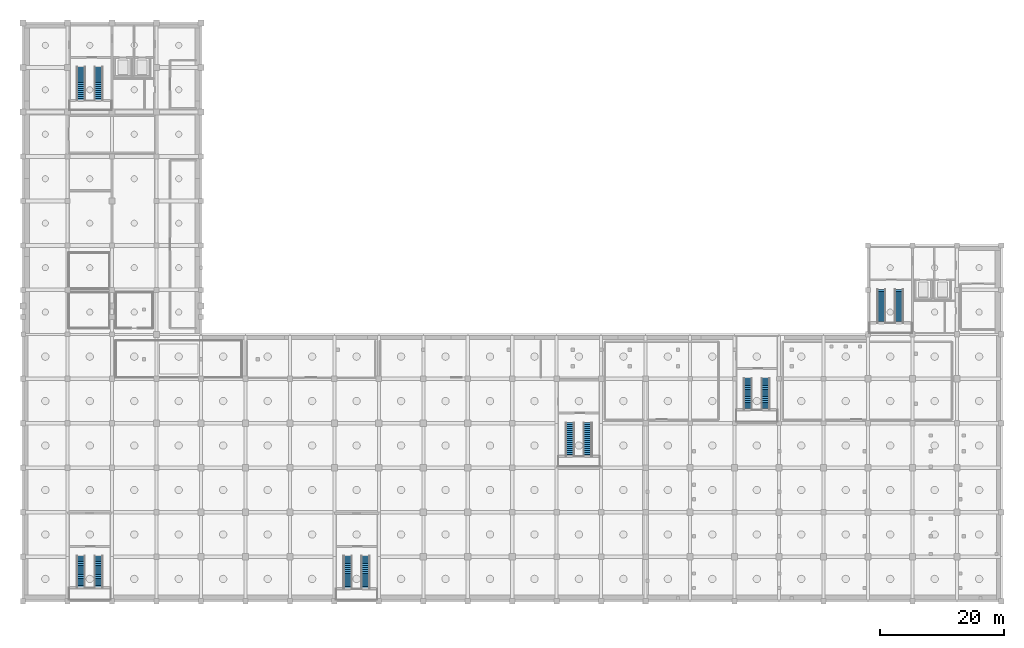
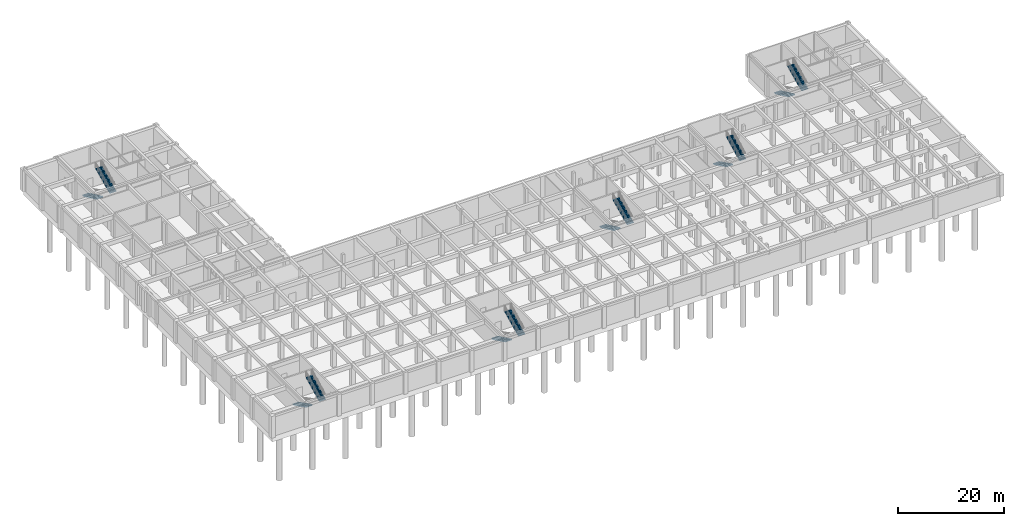
# One storey, part 11 of 15: 12 stair flights, 6 elements without a shape of their own.
"""IFC4 building model written with IfcOpenShell, lengths in metres."""

import ifcopenshell
import ifcopenshell.guid

model = None  # the IFC model being written
_history = None  # IfcOwnerHistory: only IFC2X3 demands one
_inside = {}  # id of a spatial element -> (the spatial element, [elements in it])
_under = {}  # id of a project, library or spatial element -> (it, [spatial elements below it])
_declared = {}  # id of a project -> (the project, [libraries it declares])
_typed = {}  # id of a type object -> (the type object, [elements of that type])
_made_of = {}  # id of a material, layer set ... -> (it, [elements and type objects made of it])


def new_model(schema):
    """Start an empty IFC model of exactly this schema.

    Asked for "IFC4X3", IfcOpenShell would pick the latest addendum, in which some entities
    have other attributes; the version numbers below select the first issue.
    IFC2X3 requires an IfcOwnerHistory on every rooted entity: one is made here for all.
    """
    global model, _history
    if schema == "IFC4X3":
        model = ifcopenshell.file(schema_version=(4, 3, 0, 0))
    else:
        model = ifcopenshell.file(schema=schema)
    _inside.clear()
    _under.clear()
    _declared.clear()
    _typed.clear()
    _made_of.clear()
    _history = None
    if model.schema == "IFC2X3":
        org = make("IfcOrganization", Name="unknown")
        user = make(
            "IfcPersonAndOrganization",
            ThePerson=make("IfcPerson", FamilyName="unknown"),
            TheOrganization=org,
        )
        app = make(
            "IfcApplication",
            ApplicationDeveloper=org,
            Version="unknown",
            ApplicationFullName="unknown",
            ApplicationIdentifier="unknown",
        )
        _history = make(
            "IfcOwnerHistory",
            OwningUser=user,
            OwningApplication=app,
            ChangeAction="ADDED",
            CreationDate=0,
        )
    return model


def make(cls, **values):
    """One entity of the class cls with the attributes given. An attribute that is None is left unset."""
    return model.create_entity(
        cls, **{name: value for name, value in values.items() if value is not None}
    )


def rooted(cls, **values):
    """An entity with a GlobalId (a new one), such as an element, a storey or a relation."""
    return make(cls, GlobalId=ifcopenshell.guid.new(), OwnerHistory=_history, **values)


def si_unit(unit_type, name, prefix=None):
    """IfcSIUnit, for example si_unit("LENGTHUNIT", "METRE", prefix="MILLI")."""
    return make("IfcSIUnit", UnitType=unit_type, Prefix=prefix, Name=name)


def assignment(units):
    """IfcUnitAssignment: the units of a project."""
    return None if units is None else make("IfcUnitAssignment", Units=units)


def point(xyz):
    """IfcCartesianPoint."""
    return None if xyz is None else make("IfcCartesianPoint", Coordinates=xyz)


def direction(xyz):
    """IfcDirection."""
    return None if xyz is None else make("IfcDirection", DirectionRatios=xyz)


def frame(location, z_axis=None, x_axis=None):
    """IfcAxis2Placement3D, a coordinate frame: its origin and axes. An axis left out is left unset."""
    return make(
        "IfcAxis2Placement3D",
        Location=point(location),
        Axis=direction(z_axis),
        RefDirection=direction(x_axis),
    )


def origin():
    """The frame at (0, 0, 0) with its axes left unset."""
    return frame((0.0, 0.0, 0.0))


def place(relative_to, where):
    """IfcLocalPlacement: puts the frame where relative to a parent placement (None: the world)."""
    return make(
        "IfcLocalPlacement", PlacementRelTo=relative_to, RelativePlacement=where
    )


def context(
    kind, dimensions, precision=None, world=None, true_north=None, identifier=None
):
    """IfcGeometricRepresentationContext, for example the 3D "Model" context."""
    return make(
        "IfcGeometricRepresentationContext",
        ContextIdentifier=identifier,
        ContextType=kind,
        CoordinateSpaceDimension=dimensions,
        Precision=precision,
        WorldCoordinateSystem=world,
        TrueNorth=true_north,
    )


def subcontext(parent, identifier, kind, view, scale=None):
    """IfcGeometricRepresentationSubContext, for example "Body" below "Model"."""
    return make(
        "IfcGeometricRepresentationSubContext",
        ContextIdentifier=identifier,
        ContextType=kind,
        ParentContext=parent,
        TargetScale=scale,
        TargetView=view,
    )


def project(units=None, contexts=None):
    """IfcProject with its units and contexts."""
    return rooted(
        "IfcProject",
        Name="project",
        RepresentationContexts=contexts,
        UnitsInContext=assignment(units),
    )


def spatial(cls, under=None, at=None, **own):
    """A site, building, storey or space (cls), placed at a placement, below another one or the project."""
    s = rooted(cls, ObjectPlacement=at, **own)
    if under is not None:
        _under.setdefault(under.id(), (under, []))[1].append(s)
    return s


def polyline(points):
    """IfcPolyline through the points."""
    return make("IfcPolyline", Points=[point(p) for p in points])


def outline(outer, holes=None, kind="AREA"):
    """IfcArbitraryClosedProfileDef: a profile drawn as a closed curve; with holes, ...WithVoids."""
    if holes is None:
        return make("IfcArbitraryClosedProfileDef", ProfileType=kind, OuterCurve=outer)
    return make(
        "IfcArbitraryProfileDefWithVoids",
        ProfileType=kind,
        OuterCurve=outer,
        InnerCurves=holes,
    )


def extrude(swept, where, along, depth):
    """IfcExtrudedAreaSolid: the profile swept, set in the frame where, extruded along a direction by depth."""
    return make(
        "IfcExtrudedAreaSolid",
        SweptArea=swept,
        Position=where,
        ExtrudedDirection=direction(along),
        Depth=depth,
    )


def shape(context_of_items, identifier, shape_type, items):
    """IfcShapeRepresentation: the items that make up one representation, for example the "Body"."""
    return make(
        "IfcShapeRepresentation",
        ContextOfItems=context_of_items,
        RepresentationIdentifier=identifier,
        RepresentationType=shape_type,
        Items=items,
    )


def material(Name=None, Category=None):
    """IfcMaterial."""
    return make("IfcMaterial", Name=Name, Category=Category)


def layer(
    of_material, thickness, ventilated=None, Name=None, Category=None, Priority=None
):
    """IfcMaterialLayer: one layer of a wall or slab, of a material (None: an air gap)."""
    return make(
        "IfcMaterialLayer",
        Material=of_material,
        LayerThickness=thickness,
        IsVentilated=ventilated,
        Name=Name,
        Category=Category,
        Priority=Priority,
    )


def layer_set(layers, Name=None):
    """IfcMaterialLayerSet."""
    return make("IfcMaterialLayerSet", MaterialLayers=layers, LayerSetName=Name)


def made_of(thing, what):
    """Note that an element or type object is made of a material, layer set ...; save() writes the relation."""
    if what is not None:
        _made_of.setdefault(what.id(), (what, []))[1].append(thing)
    return thing


def type_object(cls, material=None, **own):
    """A type object (cls), such as IfcWallType, which elements share."""
    return made_of(rooted(cls, **own), material)


def element(
    cls,
    number,
    at=None,
    inside=None,
    cuts=None,
    type_object=None,
    material=None,
    context=None,
    identifier="Body",
    shape_type=None,
    held_by="IfcProductDefinitionShape",
    body=None,
    shapes=None,
    **own,
):
    """One element of the class cls, such as IfcWall. Its Tag is "e" and its number.

    at: its placement. inside: the storey or other place that contains it. cuts: it is an
    opening in that element (IfcRelVoidsElement). A single representation is given by context,
    identifier, shape_type and body (its items); several are given by shapes. held_by: the class
    of the entity that holds the representations. save() writes the other relations.
    """
    e = rooted(cls, Tag="e%d" % number, ObjectPlacement=at, **own)
    if body is not None:
        shapes = [shape(context, identifier, shape_type, body)]
    if shapes is not None:
        e.Representation = make(held_by, Representations=shapes)
    if inside is not None:
        _inside.setdefault(inside.id(), (inside, []))[1].append(e)
    if cuts is not None:
        rooted(
            "IfcRelVoidsElement", RelatingBuildingElement=cuts, RelatedOpeningElement=e
        )
    if type_object is not None:
        _typed.setdefault(type_object.id(), (type_object, []))[1].append(e)
    return made_of(e, material)


def aggregate(whole, parts):
    """IfcRelAggregates: a whole, such as a stair, and the parts it consists of."""
    return rooted("IfcRelAggregates", RelatingObject=whole, RelatedObjects=parts)


def save(model, path):
    """Write the relations noted so far, then the file.

    IfcRelAggregates (storeys below a building ...), IfcRelContainedInSpatialStructure (elements
    in a storey), IfcRelDefinesByType, IfcRelAssociatesMaterial and IfcRelDeclares: one each for
    every whole, place, type object, material and project.
    """
    for whole, parts in _under.values():
        aggregate(whole, parts)
    for where, things in _inside.values():
        rooted(
            "IfcRelContainedInSpatialStructure",
            RelatedElements=things,
            RelatingStructure=where,
        )
    for kind, things in _typed.values():
        rooted("IfcRelDefinesByType", RelatedObjects=things, RelatingType=kind)
    for what, things in _made_of.values():
        rooted("IfcRelAssociatesMaterial", RelatedObjects=things, RelatingMaterial=what)
    for by, libraries in _declared.values():
        rooted("IfcRelDeclares", RelatingContext=by, RelatedDefinitions=libraries)
    model.write(path)


model = new_model("IFC4")

# Units and contexts
model_context = context("Model", 3, precision=1e-05, world=origin(), true_north=direction((0.0, 1.0)))
body_context = subcontext(model_context, "Body", "Model", "MODEL_VIEW")
ifc_project = project(units=[si_unit("LENGTHUNIT", "METRE"), si_unit("AREAUNIT", "SQUARE_METRE"), si_unit("VOLUMEUNIT", "CUBIC_METRE"), si_unit("PLANEANGLEUNIT", "RADIAN"), si_unit("MASSUNIT", "GRAM", prefix="KILO")], contexts=[model_context])

# Site, building, storey
site_placement = place(None, origin())
site = spatial("IfcSite", under=ifc_project, at=site_placement, CompositionType="ELEMENT")
building_placement = place(site_placement, origin())
building = spatial("IfcBuilding", under=site, at=building_placement, Name="Leyfeld Transit Interchange", CompositionType="ELEMENT")
storey_placement = place(building_placement, frame((0.0, 0.0, -10.800048828125)))
storey = spatial("IfcBuildingStorey", under=building, at=storey_placement, Name="B02", CompositionType="ELEMENT", Elevation=-10.800048828125)

# Stair, stair flights
ifc_material = material(Name="Precast concrete C40/50", Category="concrete")
stair_type_1 = type_object("IfcStairType", Name="STR-HT-150x300", PredefinedType="HALF_TURN_STAIR", material=ifc_material)
stair_1_placement = place(storey_placement, origin())
stair_1 = element("IfcStair", 1, at=stair_1_placement, inside=storey, type_object=stair_type_1, Name="Exit Stair ST-06 (B02 to B01)", PredefinedType="HALF_TURN_STAIR")
ifc_layer_1 = layer(ifc_material, 0.199951171875, Name="Precast concrete C40/50")
ifc_layer_set_1 = layer_set([ifc_layer_1], Name="Precast concrete C40/50")
stair_flight_type_1 = type_object("IfcStairFlightType", Name="FLT-1350", PredefinedType="STRAIGHT", material=ifc_layer_set_1)
stair_flight_1_placement = place(storey_placement, frame((9.35009765625, 21.699951171875, 0.0), z_axis=(0.0, 0.0, 1.0), x_axis=(0.0, -1.0, 0.0)))
stair_flight_1 = element("IfcStairFlight", 2, at=stair_flight_1_placement, type_object=stair_flight_type_1, Name="Stair ST-06 B02 Flight 1", NumberOfRisers=18, NumberOfTreads=17, PredefinedType="STRAIGHT", RiserHeight=0.15, TreadLength=0.3, context=body_context, shape_type="SweptSolid", body=[
    extrude(outline(polyline([(0.0, 0.0), (0.0, 0.14990234375), (0.300048828125, 0.14990234375), (0.300048828125, 0.300048828125), (0.60009765625, 0.300048828125), (0.60009765625, 0.449951171875), (0.89990234375, 0.449951171875), (0.89990234375, 0.60009765625), (1.199951171875, 0.60009765625), (1.199951171875, 0.75), (1.5, 0.75), (1.5, 0.89990234375), (1.800048828125, 0.89990234375), (1.800048828125, 1.050048828125), (2.10009765625, 1.050048828125), (2.10009765625, 1.199951171875), (2.39990234375, 1.199951171875), (2.39990234375, 1.35009765625), (2.699951171875, 1.35009765625), (2.699951171875, 1.5), (3.0, 1.5), (3.0, 1.64990234375), (3.300048828125, 1.64990234375), (3.300048828125, 1.800048828125), (3.60009765625, 1.800048828125), (3.60009765625, 1.949951171875), (3.89990234375, 1.949951171875), (3.89990234375, 2.10009765625), (4.199951171875, 2.10009765625), (4.199951171875, 2.25), (4.5, 2.25), (4.5, 2.39990234375), (4.800048828125, 2.39990234375), (4.800048828125, 2.550048828125), (5.10009765625, 2.550048828125), (5.10009765625, 2.699951171875), (5.10009765625, 2.326416015625), (0.447021484375, 0.0), (0.0, 0.0)])), frame((0.0, 0.675048828125, 0.0), z_axis=(0.0, -1.0, 0.0), x_axis=(1.0, 0.0, 0.0)), (0.0, 0.0, 1.0), 1.35009765625),
])
stair_flight_2_placement = place(storey_placement, frame((12.25, 16.60009765625, 2.699951171875), z_axis=(0.0, 0.0, 1.0), x_axis=(0.0, 1.0, 0.0)))
stair_flight_2 = element("IfcStairFlight", 3, at=stair_flight_2_placement, type_object=stair_flight_type_1, Name="Stair ST-06 B02 Flight 2", NumberOfRisers=18, NumberOfTreads=17, PredefinedType="STRAIGHT", RiserHeight=0.15, TreadLength=0.3, context=body_context, shape_type="SweptSolid", body=[
    extrude(outline(polyline([(0.0, 0.0), (0.0, 0.14990234375), (0.300048828125, 0.14990234375), (0.300048828125, 0.300048828125), (0.60009765625, 0.300048828125), (0.60009765625, 0.449951171875), (0.89990234375, 0.449951171875), (0.89990234375, 0.60009765625), (1.199951171875, 0.60009765625), (1.199951171875, 0.75), (1.5, 0.75), (1.5, 0.89990234375), (1.800048828125, 0.89990234375), (1.800048828125, 1.050048828125), (2.10009765625, 1.050048828125), (2.10009765625, 1.199951171875), (2.39990234375, 1.199951171875), (2.39990234375, 1.35009765625), (2.699951171875, 1.35009765625), (2.699951171875, 1.5), (3.0, 1.5), (3.0, 1.64990234375), (3.300048828125, 1.64990234375), (3.300048828125, 1.800048828125), (3.60009765625, 1.800048828125), (3.60009765625, 1.949951171875), (3.89990234375, 1.949951171875), (3.89990234375, 2.10009765625), (4.199951171875, 2.10009765625), (4.199951171875, 2.25), (4.5, 2.25), (4.5, 2.39990234375), (4.800048828125, 2.39990234375), (4.800048828125, 2.550048828125), (5.10009765625, 2.550048828125), (5.10009765625, 2.699951171875), (5.10009765625, 2.326416015625), (0.447021484375, 0.0), (0.0, 0.0)])), frame((0.0, 0.675048828125, 0.0), z_axis=(0.0, -1.0, 0.0), x_axis=(1.0, 0.0, 0.0)), (0.0, 0.0, 1.0), 1.35009765625),
])
aggregate(stair_1, [stair_flight_1, stair_flight_2])

stair_2_placement = place(storey_placement, origin())
stair_2 = element("IfcStair", 4, at=stair_2_placement, inside=storey, type_object=stair_type_1, Name="Exit Stair ST-09 (B02 to B01)", PredefinedType="HALF_TURN_STAIR")
stair_flight_3_placement = place(storey_placement, frame((117.35009765625, 50.5, 0.0), z_axis=(0.0, 0.0, 1.0), x_axis=(0.0, -1.0, 0.0)))
stair_flight_3 = element("IfcStairFlight", 5, at=stair_flight_3_placement, type_object=stair_flight_type_1, Name="Stair ST-09 B02 Flight 1", NumberOfRisers=18, NumberOfTreads=17, PredefinedType="STRAIGHT", RiserHeight=0.15, TreadLength=0.3, context=body_context, shape_type="SweptSolid", body=[
    extrude(outline(polyline([(0.0, 0.0), (0.0, 0.14990234375), (0.300048828125, 0.14990234375), (0.300048828125, 0.300048828125), (0.60009765625, 0.300048828125), (0.60009765625, 0.449951171875), (0.89990234375, 0.449951171875), (0.89990234375, 0.60009765625), (1.199951171875, 0.60009765625), (1.199951171875, 0.75), (1.5, 0.75), (1.5, 0.89990234375), (1.800048828125, 0.89990234375), (1.800048828125, 1.050048828125), (2.10009765625, 1.050048828125), (2.10009765625, 1.199951171875), (2.39990234375, 1.199951171875), (2.39990234375, 1.35009765625), (2.699951171875, 1.35009765625), (2.699951171875, 1.5), (3.0, 1.5), (3.0, 1.64990234375), (3.300048828125, 1.64990234375), (3.300048828125, 1.800048828125), (3.60009765625, 1.800048828125), (3.60009765625, 1.949951171875), (3.89990234375, 1.949951171875), (3.89990234375, 2.10009765625), (4.199951171875, 2.10009765625), (4.199951171875, 2.25), (4.5, 2.25), (4.5, 2.39990234375), (4.800048828125, 2.39990234375), (4.800048828125, 2.550048828125), (5.10009765625, 2.550048828125), (5.10009765625, 2.699951171875), (5.10009765625, 2.326416015625), (0.447021484375, 0.0), (0.0, 0.0)])), frame((0.0, 0.675048828125, 0.0), z_axis=(0.0, -1.0, 0.0), x_axis=(1.0, 0.0, 0.0)), (0.0, 0.0, 1.0), 1.35009765625),
])
stair_flight_4_placement = place(storey_placement, frame((120.25, 45.39990234375, 2.699951171875), z_axis=(0.0, 0.0, 1.0), x_axis=(0.0, 1.0, 0.0)))
stair_flight_4 = element("IfcStairFlight", 6, at=stair_flight_4_placement, type_object=stair_flight_type_1, Name="Stair ST-09 B02 Flight 2", NumberOfRisers=18, NumberOfTreads=17, PredefinedType="STRAIGHT", RiserHeight=0.15, TreadLength=0.3, context=body_context, shape_type="SweptSolid", body=[
    extrude(outline(polyline([(0.0, 0.0), (0.0, 0.14990234375), (0.300048828125, 0.14990234375), (0.300048828125, 0.300048828125), (0.60009765625, 0.300048828125), (0.60009765625, 0.449951171875), (0.89990234375, 0.449951171875), (0.89990234375, 0.60009765625), (1.199951171875, 0.60009765625), (1.199951171875, 0.75), (1.5, 0.75), (1.5, 0.89990234375), (1.800048828125, 0.89990234375), (1.800048828125, 1.050048828125), (2.10009765625, 1.050048828125), (2.10009765625, 1.199951171875), (2.39990234375, 1.199951171875), (2.39990234375, 1.35009765625), (2.699951171875, 1.35009765625), (2.699951171875, 1.5), (3.0, 1.5), (3.0, 1.64990234375), (3.300048828125, 1.64990234375), (3.300048828125, 1.800048828125), (3.60009765625, 1.800048828125), (3.60009765625, 1.949951171875), (3.89990234375, 1.949951171875), (3.89990234375, 2.10009765625), (4.199951171875, 2.10009765625), (4.199951171875, 2.25), (4.5, 2.25), (4.5, 2.39990234375), (4.800048828125, 2.39990234375), (4.800048828125, 2.550048828125), (5.10009765625, 2.550048828125), (5.10009765625, 2.699951171875), (5.10009765625, 2.326416015625), (0.447021484375, 0.0), (0.0, 0.0)])), frame((0.0, 0.675048828125, 0.0), z_axis=(0.0, -1.0, 0.0), x_axis=(1.0, 0.0, 0.0)), (0.0, 0.0, 1.0), 1.35009765625),
])
aggregate(stair_2, [stair_flight_3, stair_flight_4])

stair_type_2 = type_object("IfcStairType", Name="STR-HT-150x320", PredefinedType="HALF_TURN_STAIR", material=ifc_material)
stair_3_placement = place(storey_placement, origin())
stair_3 = element("IfcStair", 7, at=stair_3_placement, inside=storey, type_object=stair_type_2, Name="Exit Stair ST-01 (B02 to B01)", PredefinedType="HALF_TURN_STAIR")
ifc_layer_2 = layer(ifc_material, 0.199951171875, Name="Precast concrete C40/50")
ifc_layer_set_2 = layer_set([ifc_layer_2], Name="Precast concrete C40/50")
stair_flight_type_2 = type_object("IfcStairFlightType", Name="FLT-1400", PredefinedType="STRAIGHT", material=ifc_layer_set_2)
stair_flight_5_placement = place(storey_placement, frame((9.35009765625, 100.89990234375, 0.0), z_axis=(0.0, 0.0, 1.0), x_axis=(0.0, -1.0, 0.0)))
stair_flight_5 = element("IfcStairFlight", 8, at=stair_flight_5_placement, type_object=stair_flight_type_2, Name="Stair ST-01 B02 Flight 1", NumberOfRisers=18, NumberOfTreads=17, PredefinedType="STRAIGHT", RiserHeight=0.15, TreadLength=0.32, context=body_context, shape_type="SweptSolid", body=[
    extrude(outline(polyline([(0.0, 0.0), (0.0, 0.14990234375), (0.320068359375, 0.14990234375), (0.320068359375, 0.300048828125), (0.639892578125, 0.300048828125), (0.639892578125, 0.449951171875), (0.9599609375, 0.449951171875), (0.9599609375, 0.60009765625), (1.280029296875, 0.60009765625), (1.280029296875, 0.75), (1.60009765625, 0.75), (1.60009765625, 0.89990234375), (1.919921875, 0.89990234375), (1.919921875, 1.050048828125), (2.239990234375, 1.050048828125), (2.239990234375, 1.199951171875), (2.56005859375, 1.199951171875), (2.56005859375, 1.35009765625), (2.8798828125, 1.35009765625), (2.8798828125, 1.5), (3.199951171875, 1.5), (3.199951171875, 1.64990234375), (3.52001953125, 1.64990234375), (3.52001953125, 1.800048828125), (3.840087890625, 1.800048828125), (3.840087890625, 1.949951171875), (4.159912109375, 1.949951171875), (4.159912109375, 2.10009765625), (4.47998046875, 2.10009765625), (4.47998046875, 2.25), (4.800048828125, 2.25), (4.800048828125, 2.39990234375), (5.1201171875, 2.39990234375), (5.1201171875, 2.550048828125), (5.43994140625, 2.550048828125), (5.43994140625, 2.699951171875), (5.43994140625, 2.3291015625), (0.47119140625, 0.0), (0.0, 0.0)])), frame((0.0, 0.699951171875, 0.0), z_axis=(0.0, -1.0, 0.0), x_axis=(1.0, 0.0, 0.0)), (0.0, 0.0, 1.0), 1.39990234375),
])
stair_flight_6_placement = place(storey_placement, frame((12.25, 95.4599609375, 2.699951171875), z_axis=(0.0, 0.0, 1.0), x_axis=(0.0, 1.0, 0.0)))
stair_flight_6 = element("IfcStairFlight", 9, at=stair_flight_6_placement, type_object=stair_flight_type_2, Name="Stair ST-01 B02 Flight 2", NumberOfRisers=18, NumberOfTreads=17, PredefinedType="STRAIGHT", RiserHeight=0.15, TreadLength=0.32, context=body_context, shape_type="SweptSolid", body=[
    extrude(outline(polyline([(0.0, 0.0), (0.0, 0.14990234375), (0.320068359375, 0.14990234375), (0.320068359375, 0.300048828125), (0.639892578125, 0.300048828125), (0.639892578125, 0.449951171875), (0.9599609375, 0.449951171875), (0.9599609375, 0.60009765625), (1.280029296875, 0.60009765625), (1.280029296875, 0.75), (1.60009765625, 0.75), (1.60009765625, 0.89990234375), (1.919921875, 0.89990234375), (1.919921875, 1.050048828125), (2.239990234375, 1.050048828125), (2.239990234375, 1.199951171875), (2.56005859375, 1.199951171875), (2.56005859375, 1.35009765625), (2.8798828125, 1.35009765625), (2.8798828125, 1.5), (3.199951171875, 1.5), (3.199951171875, 1.64990234375), (3.52001953125, 1.64990234375), (3.52001953125, 1.800048828125), (3.840087890625, 1.800048828125), (3.840087890625, 1.949951171875), (4.159912109375, 1.949951171875), (4.159912109375, 2.10009765625), (4.47998046875, 2.10009765625), (4.47998046875, 2.25), (4.800048828125, 2.25), (4.800048828125, 2.39990234375), (5.1201171875, 2.39990234375), (5.1201171875, 2.550048828125), (5.43994140625, 2.550048828125), (5.43994140625, 2.699951171875), (5.43994140625, 2.3291015625), (0.47119140625, 0.0), (0.0, 0.0)])), frame((0.0, 0.699951171875, 0.0), z_axis=(0.0, -1.0, 0.0), x_axis=(1.0, 0.0, 0.0)), (0.0, 0.0, 1.0), 1.39990234375),
])
aggregate(stair_3, [stair_flight_5, stair_flight_6])

stair_4_placement = place(storey_placement, origin())
stair_4 = element("IfcStair", 10, at=stair_4_placement, inside=storey, type_object=stair_type_2, Name="Exit Stair ST-04 (B02 to B01)", PredefinedType="HALF_TURN_STAIR")
stair_flight_7_placement = place(storey_placement, frame((138.949951171875, 64.89990234375, 0.0), z_axis=(0.0, 0.0, 1.0), x_axis=(0.0, -1.0, 0.0)))
stair_flight_7 = element("IfcStairFlight", 11, at=stair_flight_7_placement, type_object=stair_flight_type_2, Name="Stair ST-04 B02 Flight 1", NumberOfRisers=18, NumberOfTreads=17, PredefinedType="STRAIGHT", RiserHeight=0.15, TreadLength=0.32, context=body_context, shape_type="SweptSolid", body=[
    extrude(outline(polyline([(0.0, 0.0), (0.0, 0.14990234375), (0.320068359375, 0.14990234375), (0.320068359375, 0.300048828125), (0.639892578125, 0.300048828125), (0.639892578125, 0.449951171875), (0.9599609375, 0.449951171875), (0.9599609375, 0.60009765625), (1.280029296875, 0.60009765625), (1.280029296875, 0.75), (1.60009765625, 0.75), (1.60009765625, 0.89990234375), (1.919921875, 0.89990234375), (1.919921875, 1.050048828125), (2.239990234375, 1.050048828125), (2.239990234375, 1.199951171875), (2.56005859375, 1.199951171875), (2.56005859375, 1.35009765625), (2.8798828125, 1.35009765625), (2.8798828125, 1.5), (3.199951171875, 1.5), (3.199951171875, 1.64990234375), (3.52001953125, 1.64990234375), (3.52001953125, 1.800048828125), (3.840087890625, 1.800048828125), (3.840087890625, 1.949951171875), (4.159912109375, 1.949951171875), (4.159912109375, 2.10009765625), (4.47998046875, 2.10009765625), (4.47998046875, 2.25), (4.800048828125, 2.25), (4.800048828125, 2.39990234375), (5.1201171875, 2.39990234375), (5.1201171875, 2.550048828125), (5.43994140625, 2.550048828125), (5.43994140625, 2.699951171875), (5.43994140625, 2.3291015625), (0.47119140625, 0.0), (0.0, 0.0)])), frame((0.0, 0.699951171875, 0.0), z_axis=(0.0, -1.0, 0.0), x_axis=(1.0, 0.0, 0.0)), (0.0, 0.0, 1.0), 1.39990234375),
])
stair_flight_8_placement = place(storey_placement, frame((141.85009765625, 59.4599609375, 2.699951171875), z_axis=(0.0, 0.0, 1.0), x_axis=(0.0, 1.0, 0.0)))
stair_flight_8 = element("IfcStairFlight", 12, at=stair_flight_8_placement, type_object=stair_flight_type_2, Name="Stair ST-04 B02 Flight 2", NumberOfRisers=18, NumberOfTreads=17, PredefinedType="STRAIGHT", RiserHeight=0.15, TreadLength=0.32, context=body_context, shape_type="SweptSolid", body=[
    extrude(outline(polyline([(0.0, 0.0), (0.0, 0.14990234375), (0.320068359375, 0.14990234375), (0.320068359375, 0.300048828125), (0.639892578125, 0.300048828125), (0.639892578125, 0.449951171875), (0.9599609375, 0.449951171875), (0.9599609375, 0.60009765625), (1.280029296875, 0.60009765625), (1.280029296875, 0.75), (1.60009765625, 0.75), (1.60009765625, 0.89990234375), (1.919921875, 0.89990234375), (1.919921875, 1.050048828125), (2.239990234375, 1.050048828125), (2.239990234375, 1.199951171875), (2.56005859375, 1.199951171875), (2.56005859375, 1.35009765625), (2.8798828125, 1.35009765625), (2.8798828125, 1.5), (3.199951171875, 1.5), (3.199951171875, 1.64990234375), (3.52001953125, 1.64990234375), (3.52001953125, 1.800048828125), (3.840087890625, 1.800048828125), (3.840087890625, 1.949951171875), (4.159912109375, 1.949951171875), (4.159912109375, 2.10009765625), (4.47998046875, 2.10009765625), (4.47998046875, 2.25), (4.800048828125, 2.25), (4.800048828125, 2.39990234375), (5.1201171875, 2.39990234375), (5.1201171875, 2.550048828125), (5.43994140625, 2.550048828125), (5.43994140625, 2.699951171875), (5.43994140625, 2.3291015625), (0.47119140625, 0.0), (0.0, 0.0)])), frame((0.0, 0.699951171875, 0.0), z_axis=(0.0, -1.0, 0.0), x_axis=(1.0, 0.0, 0.0)), (0.0, 0.0, 1.0), 1.39990234375),
])
aggregate(stair_4, [stair_flight_7, stair_flight_8])

stair_5_placement = place(storey_placement, origin())
stair_5 = element("IfcStair", 13, at=stair_5_placement, inside=storey, type_object=stair_type_2, Name="Exit Stair ST-07 (B02 to B01)", PredefinedType="HALF_TURN_STAIR")
stair_flight_9_placement = place(storey_placement, frame((88.550048828125, 43.300048828125, 0.0), z_axis=(0.0, 0.0, 1.0), x_axis=(0.0, -1.0, 0.0)))
stair_flight_9 = element("IfcStairFlight", 14, at=stair_flight_9_placement, type_object=stair_flight_type_2, Name="Stair ST-07 B02 Flight 1", NumberOfRisers=18, NumberOfTreads=17, PredefinedType="STRAIGHT", RiserHeight=0.15, TreadLength=0.32, context=body_context, shape_type="SweptSolid", body=[
    extrude(outline(polyline([(0.0, 0.0), (0.0, 0.14990234375), (0.320068359375, 0.14990234375), (0.320068359375, 0.300048828125), (0.639892578125, 0.300048828125), (0.639892578125, 0.449951171875), (0.9599609375, 0.449951171875), (0.9599609375, 0.60009765625), (1.280029296875, 0.60009765625), (1.280029296875, 0.75), (1.60009765625, 0.75), (1.60009765625, 0.89990234375), (1.919921875, 0.89990234375), (1.919921875, 1.050048828125), (2.239990234375, 1.050048828125), (2.239990234375, 1.199951171875), (2.56005859375, 1.199951171875), (2.56005859375, 1.35009765625), (2.8798828125, 1.35009765625), (2.8798828125, 1.5), (3.199951171875, 1.5), (3.199951171875, 1.64990234375), (3.52001953125, 1.64990234375), (3.52001953125, 1.800048828125), (3.840087890625, 1.800048828125), (3.840087890625, 1.949951171875), (4.159912109375, 1.949951171875), (4.159912109375, 2.10009765625), (4.47998046875, 2.10009765625), (4.47998046875, 2.25), (4.800048828125, 2.25), (4.800048828125, 2.39990234375), (5.1201171875, 2.39990234375), (5.1201171875, 2.550048828125), (5.43994140625, 2.550048828125), (5.43994140625, 2.699951171875), (5.43994140625, 2.3291015625), (0.47119140625, 0.0), (0.0, 0.0)])), frame((0.0, 0.699951171875, 0.0), z_axis=(0.0, -1.0, 0.0), x_axis=(1.0, 0.0, 0.0)), (0.0, 0.0, 1.0), 1.39990234375),
])
stair_flight_10_placement = place(storey_placement, frame((91.449951171875, 37.860107421875, 2.699951171875), z_axis=(0.0, 0.0, 1.0), x_axis=(0.0, 1.0, 0.0)))
stair_flight_10 = element("IfcStairFlight", 15, at=stair_flight_10_placement, type_object=stair_flight_type_2, Name="Stair ST-07 B02 Flight 2", NumberOfRisers=18, NumberOfTreads=17, PredefinedType="STRAIGHT", RiserHeight=0.15, TreadLength=0.32, context=body_context, shape_type="SweptSolid", body=[
    extrude(outline(polyline([(0.0, 0.0), (0.0, 0.14990234375), (0.320068359375, 0.14990234375), (0.320068359375, 0.300048828125), (0.639892578125, 0.300048828125), (0.639892578125, 0.449951171875), (0.9599609375, 0.449951171875), (0.9599609375, 0.60009765625), (1.280029296875, 0.60009765625), (1.280029296875, 0.75), (1.60009765625, 0.75), (1.60009765625, 0.89990234375), (1.919921875, 0.89990234375), (1.919921875, 1.050048828125), (2.239990234375, 1.050048828125), (2.239990234375, 1.199951171875), (2.56005859375, 1.199951171875), (2.56005859375, 1.35009765625), (2.8798828125, 1.35009765625), (2.8798828125, 1.5), (3.199951171875, 1.5), (3.199951171875, 1.64990234375), (3.52001953125, 1.64990234375), (3.52001953125, 1.800048828125), (3.840087890625, 1.800048828125), (3.840087890625, 1.949951171875), (4.159912109375, 1.949951171875), (4.159912109375, 2.10009765625), (4.47998046875, 2.10009765625), (4.47998046875, 2.25), (4.800048828125, 2.25), (4.800048828125, 2.39990234375), (5.1201171875, 2.39990234375), (5.1201171875, 2.550048828125), (5.43994140625, 2.550048828125), (5.43994140625, 2.699951171875), (5.43994140625, 2.3291015625), (0.47119140625, 0.0), (0.0, 0.0)])), frame((0.0, 0.699951171875, 0.0), z_axis=(0.0, -1.0, 0.0), x_axis=(1.0, 0.0, 0.0)), (0.0, 0.0, 1.0), 1.39990234375),
])
aggregate(stair_5, [stair_flight_9, stair_flight_10])

stair_type_3 = type_object("IfcStairType", Name="STR-HT-150x310", PredefinedType="HALF_TURN_STAIR", material=ifc_material)
stair_6_placement = place(storey_placement, origin())
stair_6 = element("IfcStair", 16, at=stair_6_placement, inside=storey, type_object=stair_type_3, Name="Exit Stair ST-08 (B02 to B01)", PredefinedType="HALF_TURN_STAIR")
stair_flight_11_placement = place(storey_placement, frame((52.550048828125, 21.699951171875, 0.0), z_axis=(0.0, 0.0, 1.0), x_axis=(0.0, -1.0, 0.0)))
stair_flight_11 = element("IfcStairFlight", 17, at=stair_flight_11_placement, type_object=stair_flight_type_2, Name="Stair ST-08 B02 Flight 1", NumberOfRisers=18, NumberOfTreads=17, PredefinedType="STRAIGHT", RiserHeight=0.15, TreadLength=0.31, context=body_context, shape_type="SweptSolid", body=[
    extrude(outline(polyline([(0.0, 0.0), (0.0, 0.14990234375), (0.31005859375, 0.14990234375), (0.31005859375, 0.300048828125), (0.6201171875, 0.300048828125), (0.6201171875, 0.449951171875), (0.929931640625, 0.449951171875), (0.929931640625, 0.60009765625), (1.239990234375, 0.60009765625), (1.239990234375, 0.75), (1.550048828125, 0.75), (1.550048828125, 0.89990234375), (1.860107421875, 0.89990234375), (1.860107421875, 1.050048828125), (2.169921875, 1.050048828125), (2.169921875, 1.199951171875), (2.47998046875, 1.199951171875), (2.47998046875, 1.35009765625), (2.7900390625, 1.35009765625), (2.7900390625, 1.5), (3.10009765625, 1.5), (3.10009765625, 1.64990234375), (3.409912109375, 1.64990234375), (3.409912109375, 1.800048828125), (3.719970703125, 1.800048828125), (3.719970703125, 1.949951171875), (4.030029296875, 1.949951171875), (4.030029296875, 2.10009765625), (4.340087890625, 2.10009765625), (4.340087890625, 2.25), (4.64990234375, 2.25), (4.64990234375, 2.39990234375), (4.9599609375, 2.39990234375), (4.9599609375, 2.550048828125), (5.27001953125, 2.550048828125), (5.27001953125, 2.699951171875), (5.27001953125, 2.327880859375), (0.458984375, 0.0), (0.0, 0.0)])), frame((0.0, 0.699951171875, 0.0), z_axis=(0.0, -1.0, 0.0), x_axis=(1.0, 0.0, 0.0)), (0.0, 0.0, 1.0), 1.39990234375),
])
stair_flight_12_placement = place(storey_placement, frame((55.449951171875, 16.429931640625, 2.699951171875), z_axis=(0.0, 0.0, 1.0), x_axis=(0.0, 1.0, 0.0)))
stair_flight_12 = element("IfcStairFlight", 18, at=stair_flight_12_placement, type_object=stair_flight_type_2, Name="Stair ST-08 B02 Flight 2", NumberOfRisers=18, NumberOfTreads=17, PredefinedType="STRAIGHT", RiserHeight=0.15, TreadLength=0.31, context=body_context, shape_type="SweptSolid", body=[
    extrude(outline(polyline([(0.0, 0.0), (0.0, 0.14990234375), (0.31005859375, 0.14990234375), (0.31005859375, 0.300048828125), (0.6201171875, 0.300048828125), (0.6201171875, 0.449951171875), (0.929931640625, 0.449951171875), (0.929931640625, 0.60009765625), (1.239990234375, 0.60009765625), (1.239990234375, 0.75), (1.550048828125, 0.75), (1.550048828125, 0.89990234375), (1.860107421875, 0.89990234375), (1.860107421875, 1.050048828125), (2.169921875, 1.050048828125), (2.169921875, 1.199951171875), (2.47998046875, 1.199951171875), (2.47998046875, 1.35009765625), (2.7900390625, 1.35009765625), (2.7900390625, 1.5), (3.10009765625, 1.5), (3.10009765625, 1.64990234375), (3.409912109375, 1.64990234375), (3.409912109375, 1.800048828125), (3.719970703125, 1.800048828125), (3.719970703125, 1.949951171875), (4.030029296875, 1.949951171875), (4.030029296875, 2.10009765625), (4.340087890625, 2.10009765625), (4.340087890625, 2.25), (4.64990234375, 2.25), (4.64990234375, 2.39990234375), (4.9599609375, 2.39990234375), (4.9599609375, 2.550048828125), (5.27001953125, 2.550048828125), (5.27001953125, 2.699951171875), (5.27001953125, 2.327880859375), (0.458984375, 0.0), (0.0, 0.0)])), frame((0.0, 0.699951171875, 0.0), z_axis=(0.0, -1.0, 0.0), x_axis=(1.0, 0.0, 0.0)), (0.0, 0.0, 1.0), 1.39990234375),
])
aggregate(stair_6, [stair_flight_11, stair_flight_12])

save(model, "model.ifc")
